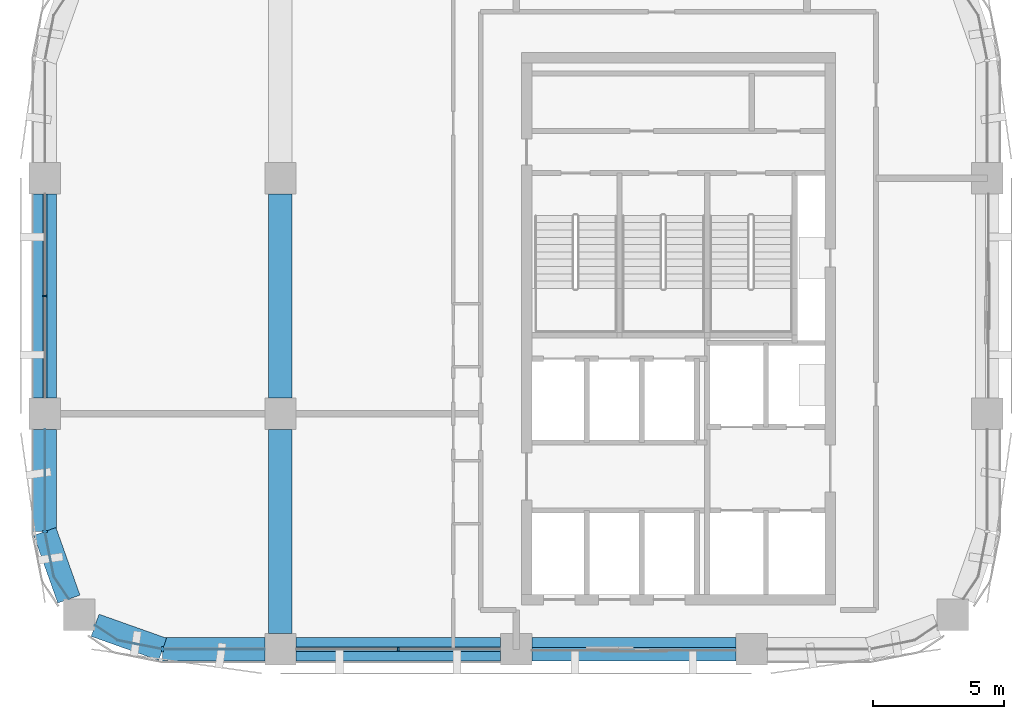
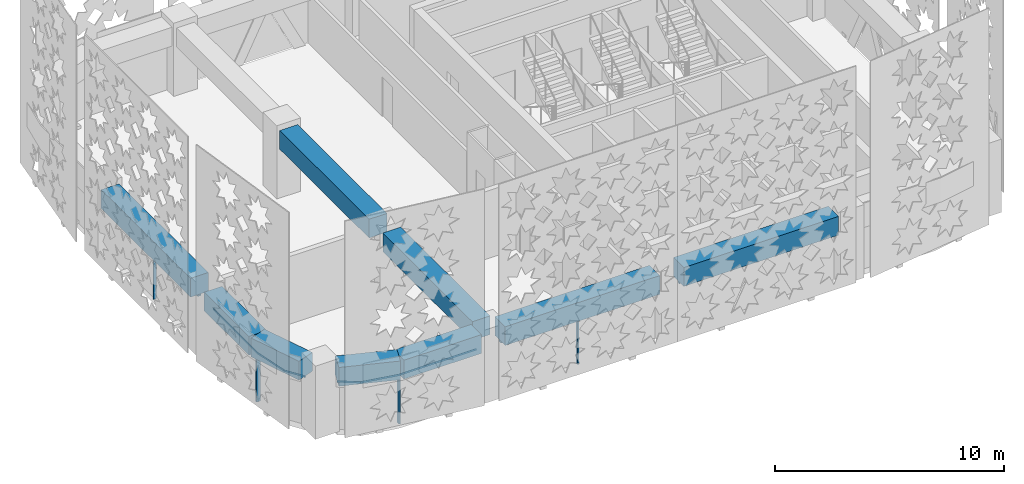
# One storey, part 2 of 14: 9 beams, 9 members, 5 elements without a shape of their own.
"""IFC4 building model written with IfcOpenShell, lengths in metres."""

from ifc_helpers import new_model, si_unit, direction, frame, origin, origin_2d, place, context, subcontext, project, spatial, polyline, rectangle, outline, extrude, material, material_profile, profile_set, type_object, element, aggregate, save


model = new_model("IFC4")

# Units and contexts
model_context = context("Model", 3, precision=1e-05, world=origin(), true_north=direction((0.0, 1.0)))
body_context = subcontext(model_context, "Body", "Model", "MODEL_VIEW")
ifc_project = project(units=[si_unit("LENGTHUNIT", "METRE"), si_unit("AREAUNIT", "SQUARE_METRE"), si_unit("VOLUMEUNIT", "CUBIC_METRE"), si_unit("PLANEANGLEUNIT", "RADIAN"), si_unit("MASSUNIT", "GRAM", prefix="KILO")], contexts=[model_context])

# Site, building, storey
site_placement = place(None, origin())
site = spatial("IfcSite", under=ifc_project, at=site_placement, CompositionType="ELEMENT")
building_placement = place(site_placement, origin())
building = spatial("IfcBuilding", under=site, at=building_placement, Name="Tessera Arch", CompositionType="ELEMENT")
storey_placement = place(building_placement, frame((0.0, 0.0, 269.60009765625)))
storey = spatial("IfcBuildingStorey", under=building, at=storey_placement, Name="L65", CompositionType="ELEMENT", Elevation=269.60009765625)

# Curtain wall, member
ifc_material_1 = material(Name="CW1 curtain wall")
curtain_wall_type_1 = type_object("IfcCurtainWallType", Name="CW1 curtain wall", PredefinedType="NOTDEFINED", material=ifc_material_1)
curtain_wall_1_placement = place(storey_placement, origin())
curtain_wall_1 = element("IfcCurtainWall", 1, at=curtain_wall_1_placement, inside=storey, type_object=curtain_wall_type_1, Name="CW1 curtain wall W18.27/1 L65", PredefinedType="NOTDEFINED")
ifc_material_2 = material(Name="Anodised aluminium pale metal", Category="aluminium")
ifc_material_profile_1 = material_profile(ifc_material_2, rectangle(XDim=0.159912109375, YDim=0.06005859375, at=origin_2d()), Name="AL 60x160")
ifc_profile_set_1 = profile_set([ifc_material_profile_1], Name="Anodised aluminium pale metal")
member_type_1 = type_object("IfcMemberType", Name="CW1 mullion", PredefinedType="MULLION", material=ifc_profile_set_1)
member_1_placement = place(storey_placement, frame((18.0, 40.5, 0.0), z_axis=(0.0, 0.0, 1.0), x_axis=(1.0, 0.0, 0.0)))
member_1 = element("IfcMember", 2, at=member_1_placement, type_object=member_type_1, Name="CW1 mullion W18.27/1 1", PredefinedType="MULLION", context=body_context, shape_type="SweptSolid", body=[
    extrude(rectangle(XDim=0.159912109375, YDim=0.06005859375, at=origin_2d()), origin(), (0.0, 0.0, 1.0), 2.5),
])

curtain_wall_2_placement = place(storey_placement, origin())
curtain_wall_2 = element("IfcCurtainWall", 3, at=curtain_wall_2_placement, inside=storey, type_object=curtain_wall_type_1, Name="CW1 curtain wall S27.18/1 L65", PredefinedType="NOTDEFINED")
member_2_placement = place(storey_placement, frame((31.5, 27.0, 0.0), z_axis=(0.0, 0.0, 1.0), x_axis=(0.0, 1.0, 0.0)))
member_2 = element("IfcMember", 4, at=member_2_placement, type_object=member_type_1, Name="CW1 mullion S27.18/1 1", PredefinedType="MULLION", context=body_context, shape_type="SweptSolid", body=[
    extrude(rectangle(XDim=0.159912109375, YDim=0.06005859375, at=origin_2d()), origin(), (0.0, 0.0, 1.0), 2.5),
])

# Member
ifc_material_3 = material(Name="Anodised aluminium pale metal", Category="aluminium")
ifc_material_profile_2 = material_profile(ifc_material_3, rectangle(XDim=0.159912109375, YDim=0.10009765625, at=origin_2d()), Name="AL 160x100")
ifc_profile_set_2 = profile_set([ifc_material_profile_2], Name="Anodised aluminium pale metal")
member_type_2 = type_object("IfcMemberType", Name="CW1 transom", PredefinedType="USERDEFINED", material=ifc_profile_set_2)
member_3_placement = place(storey_placement, frame((18.0, 44.39990234375, 2.5498046875), z_axis=(0.0, -1.0, 0.0), x_axis=(1.0, 0.0, 0.0)))
member_3 = element("IfcMember", 5, at=member_3_placement, type_object=member_type_2, Name="CW1 transom W18.27/1 1.1", ObjectType="TRANSOM", PredefinedType="USERDEFINED", context=body_context, shape_type="SweptSolid", body=[
    extrude(rectangle(XDim=0.159912109375, YDim=0.10009765625, at=origin_2d()), origin(), (0.0, 0.0, 1.0), 7.7998046875),
])

aggregate(curtain_wall_1, [member_1, member_3])

member_4_placement = place(storey_placement, frame((27.60009765625, 27.0, 2.5498046875), z_axis=(1.0, 0.0, 0.0), x_axis=(0.0, 1.0, 0.0)))
member_4 = element("IfcMember", 6, at=member_4_placement, type_object=member_type_2, Name="CW1 transom S27.18/1 1.1", ObjectType="TRANSOM", PredefinedType="USERDEFINED", context=body_context, shape_type="SweptSolid", body=[
    extrude(rectangle(XDim=0.159912109375, YDim=0.10009765625, at=origin_2d()), origin(), (0.0, 0.0, 1.0), 7.7998046875),
])

aggregate(curtain_wall_2, [member_2, member_4])

# Curtain wall, member
ifc_material_4 = material(Name="CW2 curtain wall")
curtain_wall_type_2 = type_object("IfcCurtainWallType", Name="CW2 curtain wall", PredefinedType="NOTDEFINED", material=ifc_material_4)
curtain_wall_3_placement = place(storey_placement, origin())
curtain_wall_3 = element("IfcCurtainWall", 7, at=curtain_wall_3_placement, inside=storey, type_object=curtain_wall_type_2, Name="CW2 curtain wall W18.27/2 L65", PredefinedType="NOTDEFINED")
ifc_material_5 = material(Name="Anodised aluminium pale metal", Category="aluminium")
ifc_material_profile_3 = material_profile(ifc_material_5, rectangle(XDim=0.199951171875, YDim=0.080078125, at=origin_2d()), Name="AL 80x200")
ifc_profile_set_3 = profile_set([ifc_material_profile_3], Name="Anodised aluminium pale metal")
member_type_3 = type_object("IfcMemberType", Name="CW2 mullion", PredefinedType="MULLION", material=ifc_profile_set_3)
member_5_placement = place(storey_placement, frame((18.0, 31.5, 0.0), z_axis=(0.0, 0.0, 1.0), x_axis=(1.0, 0.0, 0.0)))
member_5 = element("IfcMember", 8, at=member_5_placement, type_object=member_type_3, Name="CW2 mullion W18.27/2 1", PredefinedType="MULLION", context=body_context, shape_type="SweptSolid", body=[
    extrude(rectangle(XDim=0.199951171875, YDim=0.080078125, at=origin_2d()), origin(), (0.0, 0.0, 1.0), 2.5),
])

curtain_wall_4_placement = place(storey_placement, origin())
curtain_wall_4 = element("IfcCurtainWall", 9, at=curtain_wall_4_placement, inside=storey, type_object=curtain_wall_type_2, Name="CW2 curtain wall S27.18/0 L65", PredefinedType="NOTDEFINED")
member_6_placement = place(storey_placement, frame((22.5, 27.0, 0.0), z_axis=(0.0, 0.0, 1.0), x_axis=(0.0, 1.0, 0.0)))
member_6 = element("IfcMember", 10, at=member_6_placement, type_object=member_type_3, Name="CW2 mullion S27.18/0 1", PredefinedType="MULLION", context=body_context, shape_type="SweptSolid", body=[
    extrude(rectangle(XDim=0.199951171875, YDim=0.080078125, at=origin_2d()), origin(), (0.0, 0.0, 1.0), 2.5),
])

# Member
ifc_material_6 = material(Name="Anodised aluminium pale metal", Category="aluminium")
ifc_material_profile_4 = material_profile(ifc_material_6, rectangle(XDim=0.199951171875, YDim=0.10009765625, at=origin_2d()), Name="AL 200x100")
ifc_profile_set_4 = profile_set([ifc_material_profile_4], Name="Anodised aluminium pale metal")
member_type_4 = type_object("IfcMemberType", Name="CW2 transom", PredefinedType="USERDEFINED", material=ifc_profile_set_4)
member_7_placement = place(storey_placement, frame((0.0, 0.0, 2.5)))
member_7 = element("IfcMember", 11, at=member_7_placement, type_object=member_type_4, Name="CW2 transom W18.27/2 1", ObjectType="TRANSOM", PredefinedType="USERDEFINED", context=body_context, shape_type="SweptSolid", body=[
    extrude(outline(polyline([(18.010009765625, 31.5009765625), (18.010009765625, 35.39990234375), (17.989990234375, 35.39990234375), (17.989990234375, 31.4990234375), (18.3330078125, 29.77392578125), (18.90869140625, 28.912353515625), (18.92529296875, 28.923583984375), (18.351806640625, 29.78173828125), (18.010009765625, 31.5009765625)])), origin(), (0.0, 0.0, 1.0), 0.099853515625),
])

aggregate(curtain_wall_3, [member_5, member_7])

member_8_placement = place(storey_placement, frame((0.0, 0.0, 2.5)))
member_8 = element("IfcMember", 12, at=member_8_placement, type_object=member_type_4, Name="CW2 transom S27.18/0 1", ObjectType="TRANSOM", PredefinedType="USERDEFINED", context=body_context, shape_type="SweptSolid", body=[
    extrude(outline(polyline([(20.78173828125, 27.351806640625), (19.923583984375, 27.92529296875), (19.912353515625, 27.90869140625), (20.77392578125, 27.3330078125), (22.4990234375, 26.989990234375), (26.39990234375, 26.989990234375), (26.39990234375, 27.010009765625), (22.5009765625, 27.010009765625), (20.78173828125, 27.351806640625)])), origin(), (0.0, 0.0, 1.0), 0.099853515625),
])

aggregate(curtain_wall_4, [member_6, member_8])

# Curtain wall, member
ifc_material_7 = material(Name="CW3 curtain wall")
curtain_wall_type_3 = type_object("IfcCurtainWallType", Name="CW3 curtain wall", PredefinedType="NOTDEFINED", material=ifc_material_7)
curtain_wall_5_placement = place(storey_placement, origin())
curtain_wall_5 = element("IfcCurtainWall", 13, at=curtain_wall_5_placement, inside=storey, type_object=curtain_wall_type_3, Name="CW3 curtain wall S27.18/2 L65", PredefinedType="NOTDEFINED")
ifc_material_8 = material(Name="Anodised aluminium pale metal", Category="aluminium")
ifc_material_profile_5 = material_profile(ifc_material_8, rectangle(XDim=0.139892578125, YDim=0.10009765625, at=origin_2d()), Name="AL 140x100")
ifc_profile_set_5 = profile_set([ifc_material_profile_5], Name="Anodised aluminium pale metal")
member_type_5 = type_object("IfcMemberType", Name="CW3 transom", PredefinedType="USERDEFINED", material=ifc_profile_set_5)
member_9_placement = place(storey_placement, frame((36.60009765625, 27.0, 2.5498046875), z_axis=(1.0, 0.0, 0.0), x_axis=(0.0, 1.0, 0.0)))
member_9 = element("IfcMember", 14, at=member_9_placement, type_object=member_type_5, Name="CW3 transom S27.18/2 1.1", ObjectType="TRANSOM", PredefinedType="USERDEFINED", context=body_context, shape_type="SweptSolid", body=[
    extrude(rectangle(XDim=0.139892578125, YDim=0.10009765625, at=origin_2d()), origin(), (0.0, 0.0, 1.0), 7.7998046875),
])
aggregate(curtain_wall_5, [member_9])

# Beams
ifc_material_9 = material(Name="Concrete C60/75", Category="concrete")
ifc_material_profile_6 = material_profile(ifc_material_9, rectangle(XDim=0.89990234375, YDim=1.0, at=origin_2d()), Name="RC spandrel beam 900 x 1000 Concrete C60/75")
ifc_profile_set_6 = profile_set([ifc_material_profile_6], Name="Concrete C60/75")
beam_type = type_object("IfcBeamType", Name="RC spandrel beam 900 x 1000 Concrete C60/75", PredefinedType="BEAM", material=ifc_profile_set_6)
beam_1_placement = place(storey_placement, frame((18.0, 44.39990234375, 3.099853515625), z_axis=(0.0, -1.0, 0.0), x_axis=(1.0, 0.0, 0.0)))
element("IfcBeam", 15, at=beam_1_placement, inside=storey, type_object=beam_type, Name="Spandrel beam L65 W18.27/1", PredefinedType="BEAM", context=body_context, shape_type="SweptSolid", body=[
    extrude(rectangle(XDim=0.89990234375, YDim=1.0, at=origin_2d()), origin(), (0.0, 0.0, 1.0), 7.7998046875),
])
beam_2_placement = place(storey_placement, frame((18.0, 35.39990234375, 3.099853515625), z_axis=(0.0, -1.0, 0.0), x_axis=(1.0, 0.0, 0.0)))
element("IfcBeam", 16, at=beam_2_placement, inside=storey, type_object=beam_type, Name="Spandrel beam L65 W18.27/2.1", PredefinedType="BEAM", context=body_context, shape_type="SweptSolid", body=[
    extrude(rectangle(XDim=0.89990234375, YDim=1.0, at=origin_2d()), origin(), (0.0, 0.0, 1.0), 3.89990234375),
])
for number, where, z_axis, x_axis, name in (
    (17, (18.0, 31.5, 3.099853515625), (0.334665114373, -0.942337127159, 0.0), (0.942337127159, 0.334665114373, 0.0), "Spandrel beam L65 W18.27/2.2"),
    (18, (19.91796875, 27.9169921875, 3.099853515625), (0.942337127159, -0.334665114373, 0.0), (0.334665114373, 0.942337127159, 0.0), "Spandrel beam L65 S27.18/0.1"),
):
    element("IfcBeam", number, at=place(storey_placement, frame(where, z_axis=z_axis, x_axis=x_axis)), inside=storey, type_object=beam_type, Name=name, PredefinedType="BEAM", context=body_context, shape_type="SweptSolid", body=[
        extrude(rectangle(XDim=0.89990234375, YDim=1.0, at=origin_2d()), origin(), (0.0, 0.0, 1.0), 2.739990234375),
    ])
beam_3_placement = place(storey_placement, frame((22.5, 27.0, 3.099853515625), z_axis=(1.0, 0.0, 0.0), x_axis=(0.0, 1.0, 0.0)))
element("IfcBeam", 19, at=beam_3_placement, inside=storey, type_object=beam_type, Name="Spandrel beam L65 S27.18/0.2", PredefinedType="BEAM", context=body_context, shape_type="SweptSolid", body=[
    extrude(rectangle(XDim=0.89990234375, YDim=1.0, at=origin_2d()), origin(), (0.0, 0.0, 1.0), 3.89990234375),
])
for number, where, z_axis, x_axis, name in (
    (20, (27.60009765625, 27.0, 3.099853515625), (1.0, 0.0, 0.0), (0.0, 1.0, 0.0), "Spandrel beam L65 S27.18/1"),
    (21, (36.60009765625, 27.0, 3.099853515625), (1.0, 0.0, 0.0), (0.0, 1.0, 0.0), "Spandrel beam L65 S27.18/2"),
    (22, (27.0, 27.60009765625, 3.099853515625), (0.0, 1.0, 0.0), (-1.0, 0.0, 0.0), "Interface beam L65 I0C4D-C4E"),
    (23, (27.0, 36.60009765625, 3.099853515625), (0.0, 1.0, 0.0), (-1.0, 0.0, 0.0), "Interface beam L65 I0C4E-C4F"),
):
    element("IfcBeam", number, at=place(storey_placement, frame(where, z_axis=z_axis, x_axis=x_axis)), inside=storey, type_object=beam_type, Name=name, PredefinedType="BEAM", context=body_context, shape_type="SweptSolid", body=[
        extrude(rectangle(XDim=0.89990234375, YDim=1.0, at=origin_2d()), origin(), (0.0, 0.0, 1.0), 7.7998046875),
    ])

save(model, "model.ifc")
